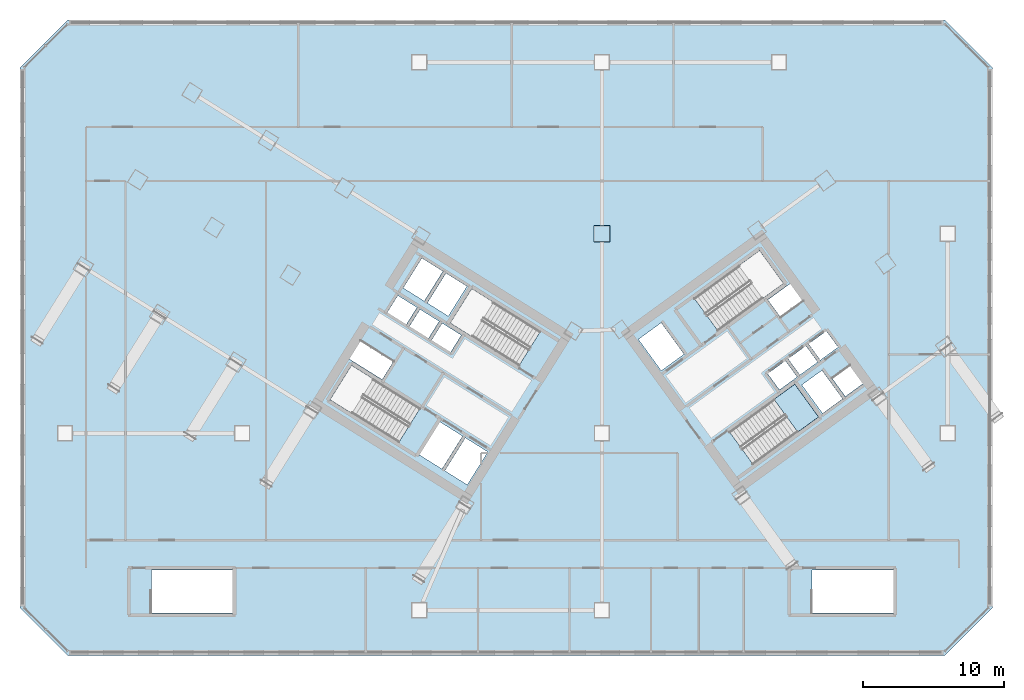
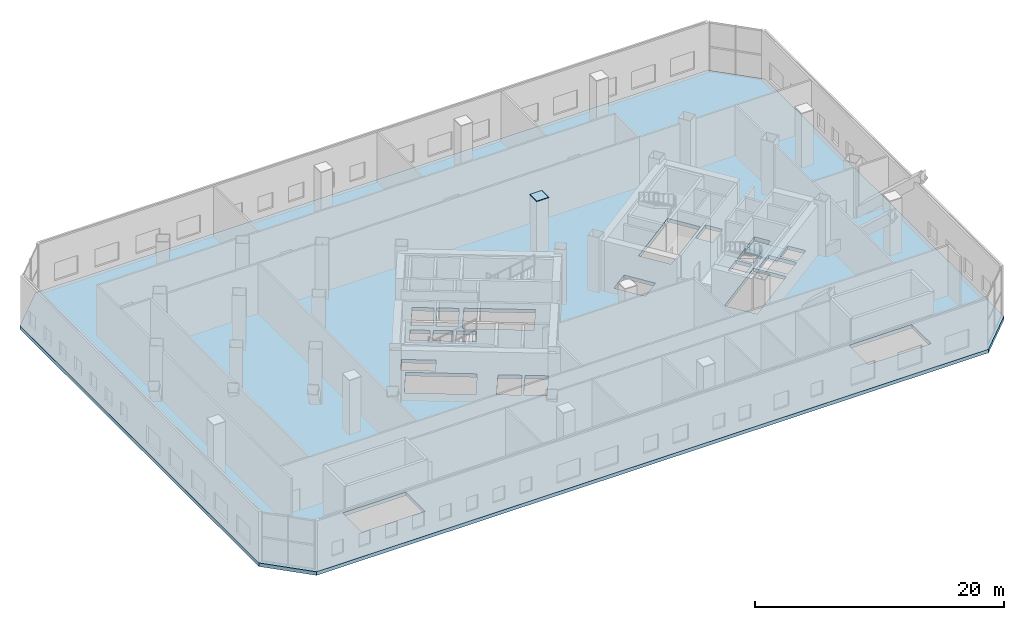
# One storey, part 10 of 23: 2 plates, 2 slabs, 1 element without a shape of its own.
"""IFC4 building model written with IfcOpenShell, lengths in metres."""

from ifc_helpers import new_model, si_unit, direction, frame, origin, origin_2d, place, context, subcontext, project, spatial, polyline, rectangle, outline, extrude, source, transform, mapped, material, layer, layer_set, type_object, element, aggregate, save


model = new_model("IFC4")

# Units and contexts
model_context = context("Model", 3, precision=1e-05, world=origin(), true_north=direction((0.0, 1.0)))
body_context = subcontext(model_context, "Body", "Model", "MODEL_VIEW")
ifc_project = project(units=[si_unit("LENGTHUNIT", "METRE"), si_unit("AREAUNIT", "SQUARE_METRE"), si_unit("VOLUMEUNIT", "CUBIC_METRE"), si_unit("PLANEANGLEUNIT", "RADIAN"), si_unit("MASSUNIT", "GRAM", prefix="KILO")], contexts=[model_context])

# Site, building, storey
site_placement = place(None, origin())
site = spatial("IfcSite", under=ifc_project, at=site_placement, CompositionType="ELEMENT")
building_placement = place(site_placement, origin())
building = spatial("IfcBuilding", under=site, at=building_placement, Name="Tlacorven Tower", CompositionType="ELEMENT")
storey_placement = place(building_placement, frame((0.0, 0.0, 18.60009765625)))
storey = spatial("IfcBuildingStorey", under=building, at=storey_placement, Name="L04", CompositionType="ELEMENT", Elevation=18.60009765625)

# Stair, slab
ifc_material_1 = material(Name="Concrete C40/50", Category="concrete")
stair_type = type_object("IfcStairType", Name="ST-CORE-DLG", PredefinedType="HALF_TURN_STAIR", material=ifc_material_1)
stair_placement = place(storey_placement, origin())
stair = element("IfcStair", 1, at=stair_placement, inside=storey, type_object=stair_type, Name="L04 Protected Exit Stair East 2", PredefinedType="HALF_TURN_STAIR")
ifc_layer_1 = layer(ifc_material_1, 0.199951171875)
ifc_layer_set_1 = layer_set([ifc_layer_1], Name="Concrete C40/50")
slab_type_1 = type_object("IfcSlabType", Name="SL-LND-200", PredefinedType="LANDING", material=ifc_layer_set_1)
slab_1_placement = place(storey_placement, frame((0.0, 0.0, 2.5)))
slab_1 = element("IfcSlab", 2, at=slab_1_placement, type_object=slab_type_1, Name="ST-E2 landing 1", PredefinedType="LANDING", context=body_context, shape_type="SweptSolid", body=[
    extrude(outline(polyline([(56.734375, 17.28271484375), (58.21484375, 18.3583984375), (56.52197265625, 20.6884765625), (55.04150390625, 19.61279296875), (56.734375, 17.28271484375)])), origin(), (0.0, 0.0, 1.0), 0.199951171875),
])
aggregate(stair, [slab_1])

# Slab
ifc_layer_2 = layer(ifc_material_1, 0.35009765625)
ifc_layer_set_2 = layer_set([ifc_layer_2], Name="Concrete C40/50")
slab_type_2 = type_object("IfcSlabType", Name="SL-POD-350", PredefinedType="FLOOR", material=ifc_layer_set_2)
slab_2_placement = place(storey_placement, frame((0.0, 0.0, -0.35009765625)))
element("IfcSlab", 3, at=slab_2_placement, inside=storey, type_object=slab_type_2, Name="L04 Structural Podium Floor Slab", PredefinedType="FLOOR", context=body_context, shape_type="SweptSolid", body=[
    extrude(outline(polyline([(4.800048828125, 1.39990234375), (67.199951171875, 1.39990234375), (70.60009765625, 4.800048828125), (70.60009765625, 43.199951171875), (67.199951171875, 46.60009765625), (4.800048828125, 46.60009765625), (1.39990234375, 43.199951171875), (1.39990234375, 4.800048828125), (4.800048828125, 1.39990234375)]), holes=[polyline([(29.865478515625, 18.979736328125), (24.9892578125, 22.02685546875), (23.463134765625, 19.58447265625), (28.33935546875, 16.537353515625), (29.865478515625, 18.979736328125)]), polyline([(38.4169921875, 24.4375), (33.540771484375, 27.484375), (32.0146484375, 25.0419921875), (36.890869140625, 21.9951171875), (38.4169921875, 24.4375)]), polyline([(51.05908203125, 24.481689453125), (55.7109375, 27.861572265625), (54.01806640625, 30.19140625), (49.3662109375, 26.811767578125), (51.05908203125, 24.481689453125)]), polyline([(53.56298828125, 14.978759765625), (58.21484375, 18.3583984375), (56.52197265625, 20.6884765625), (51.8701171875, 17.30859375), (53.56298828125, 14.978759765625)]), polyline([(10.75, 4.39990234375), (16.60009765625, 4.39990234375), (16.60009765625, 7.47998046875), (10.75, 7.47998046875), (10.75, 4.39990234375)]), polyline([(57.75, 4.39990234375), (63.60009765625, 4.39990234375), (63.60009765625, 7.47998046875), (57.75, 7.47998046875), (57.75, 4.39990234375)]), polyline([(34.682373046875, 15.87548828125), (33.088134765625, 16.871826171875), (31.62548828125, 14.531005859375), (33.2197265625, 13.534912109375), (34.682373046875, 15.87548828125)]), polyline([(32.884521484375, 16.9990234375), (31.2392578125, 18.02685546875), (29.77685546875, 15.686279296875), (31.421875, 14.658203125), (32.884521484375, 16.9990234375)]), polyline([(47.0234375, 21.648681640625), (48.6416015625, 22.82421875), (47.019287109375, 25.05712890625), (45.401123046875, 23.881591796875), (47.0234375, 21.648681640625)]), polyline([(33.197265625, 27.65185546875), (31.704833984375, 28.58447265625), (30.3798828125, 26.46435546875), (31.87255859375, 25.53173828125), (33.197265625, 27.65185546875)]), polyline([(31.484375, 28.722412109375), (29.99169921875, 29.655029296875), (28.6669921875, 27.534912109375), (30.159423828125, 26.602294921875), (31.484375, 28.722412109375)]), polyline([(32.794921875, 24.17724609375), (31.43798828125, 25.025146484375), (30.685546875, 23.82080078125), (32.042236328125, 22.972900390625), (32.794921875, 24.17724609375)]), polyline([(31.217529296875, 25.162841796875), (29.860595703125, 26.0107421875), (29.108154296875, 24.806396484375), (30.465087890625, 23.958740234375), (31.217529296875, 25.162841796875)]), polyline([(29.64013671875, 26.1484375), (28.283203125, 26.996337890625), (27.53076171875, 25.792236328125), (28.8876953125, 24.9443359375), (29.64013671875, 26.1484375)]), polyline([(55.427734375, 20.288818359375), (56.68994140625, 21.205810546875), (55.855224609375, 22.354736328125), (54.59326171875, 21.437744140625), (55.427734375, 20.288818359375)]), polyline([(56.884033203125, 21.346923828125), (58.146240234375, 22.263916015625), (57.3115234375, 23.41259765625), (56.04931640625, 22.495849609375), (56.884033203125, 21.346923828125)]), polyline([(58.34033203125, 22.405029296875), (59.602294921875, 23.322021484375), (58.767578125, 24.470703125), (57.505615234375, 23.5537109375), (58.34033203125, 22.405029296875)]), polyline([(58.498779296875, 18.614013671875), (59.922607421875, 19.648681640625), (58.453125, 21.671142578125), (57.029296875, 20.63671875), (58.498779296875, 18.614013671875)]), polyline([(27.96142578125, 22.2919921875), (25.603759765625, 23.76513671875), (24.80908203125, 22.4931640625), (27.16650390625, 21.02001953125), (27.96142578125, 22.2919921875)]), polyline([(55.490478515625, 25.4765625), (57.092529296875, 26.640380859375), (56.210693359375, 27.85400390625), (54.60888671875, 26.690185546875), (55.490478515625, 25.4765625)]), polyline([(60.12109375, 19.817626953125), (61.38330078125, 20.734619140625), (60.45458984375, 22.012939453125), (59.192626953125, 21.095947265625), (60.12109375, 19.817626953125)])]), origin(), (0.0, 0.0, 1.0), 0.35009765625),
])

# Plates
ifc_material_2 = material(Name="Steel S460M", Category="steel")
ifc_layer_3 = layer(ifc_material_2, 0.02001953125)
ifc_layer_set_3 = layer_set([ifc_layer_3], Name="Steel S460M")
plate_type_1 = type_object("IfcPlateType", Name="PL-CAP-END2", PredefinedType="USERDEFINED", material=ifc_layer_set_3)
shared_shape_1 = source(origin(), body_context, "Body", "SweptSolid", [
    extrude(rectangle(XDim=1.159912109375, YDim=1.159912109375, at=origin_2d()), origin(), (0.0, 0.0, 1.0), 0.02001953125),
])
plate_1_placement = place(storey_placement, frame((42.800048828125, 31.39990234375, 5.3798828125), z_axis=(0.0, 0.0, 1.0), x_axis=(1.0, 0.0, 0.0)))
element("IfcPlate", 4, at=plate_1_placement, inside=storey, type_object=plate_type_1, Name="L04 Box Column Top Cap Plate COL-L04-P07", ObjectType="END PLATE", PredefinedType="USERDEFINED", context=body_context, shape_type="MappedRepresentation", body=[
    mapped(shared_shape_1, transform((0.0, 0.0, 0.0), scale=1.0)),
])
ifc_layer_4 = layer(ifc_material_2, 0.02392578125)
ifc_layer_set_4 = layer_set([ifc_layer_4], Name="Steel S460M")
plate_type_2 = type_object("IfcPlateType", Name="PL-CAP-END1", PredefinedType="USERDEFINED", material=ifc_layer_set_4)
shared_shape_2 = source(origin(), body_context, "Body", "SweptSolid", [
    extrude(rectangle(XDim=1.10009765625, YDim=1.10009765625, at=origin_2d()), origin(), (0.0, 0.0, 1.0), 0.02392578125),
])
plate_2_placement = place(storey_placement, frame((42.800048828125, 31.39990234375, 5.39794921875), z_axis=(0.0, 0.0, 1.0), x_axis=(1.0, 0.0, 0.0)))
element("IfcPlate", 5, at=plate_2_placement, inside=storey, type_object=plate_type_2, Name="L04 Hollow Column Top Cap Plate COL-L04-P07", ObjectType="END PLATE", PredefinedType="USERDEFINED", context=body_context, shape_type="MappedRepresentation", body=[
    mapped(shared_shape_2, transform((0.0, 0.0, 0.0), scale=1.0)),
])

save(model, "model.ifc")
